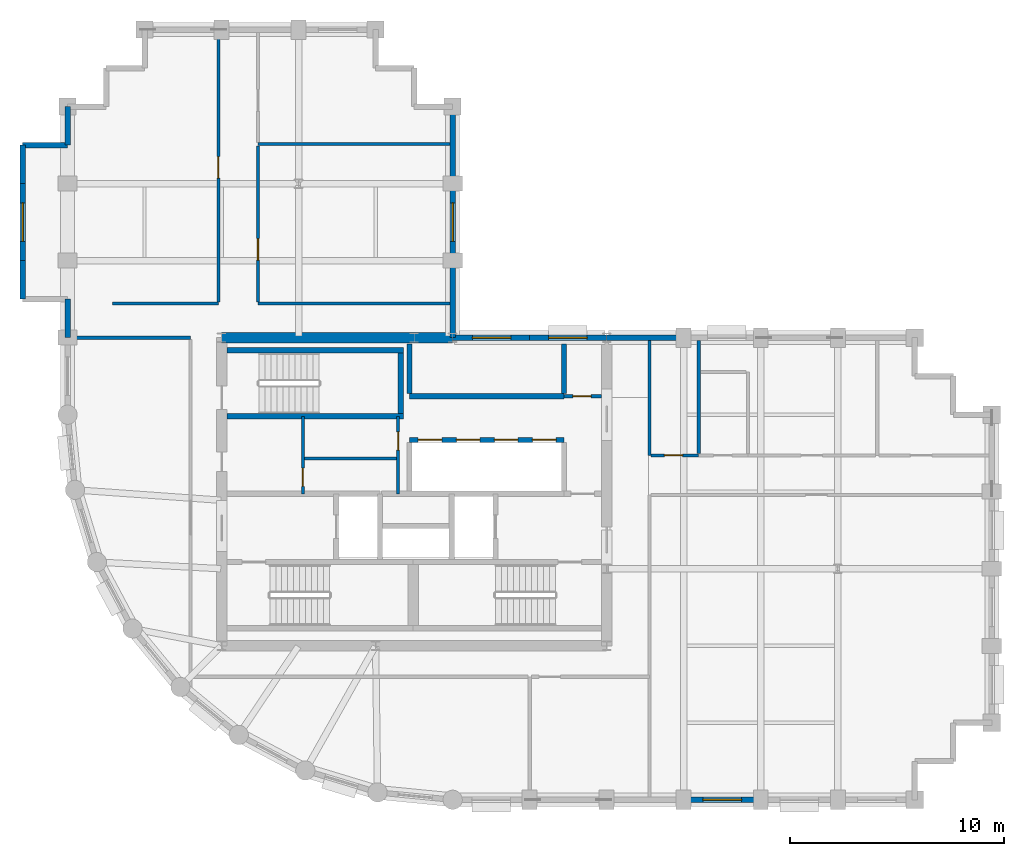
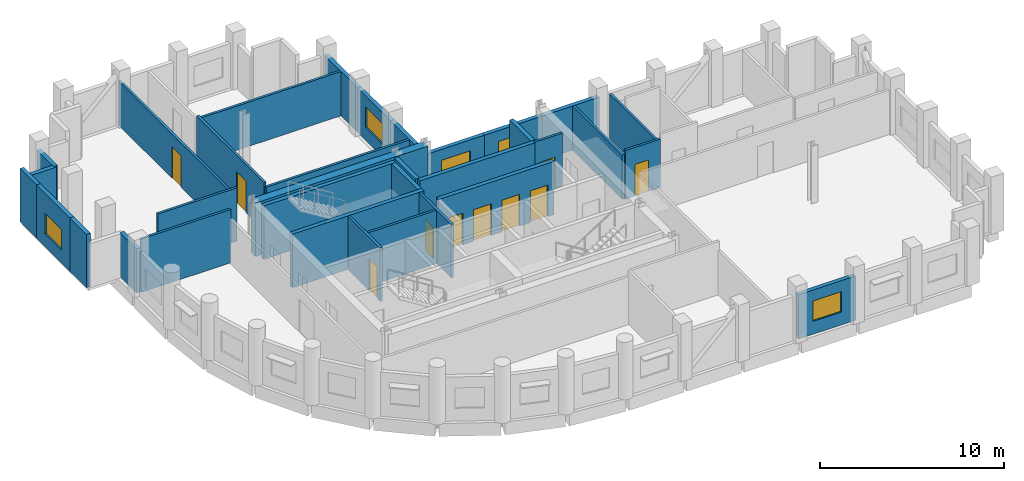
# One storey, part 4 of 8: 34 walls, 10 doors, 5 windows, 15 openings.
"""IFC4 building model written with IfcOpenShell, lengths in metres."""

import ifcopenshell
import ifcopenshell.guid

model = None  # the IFC model being written
_history = None  # IfcOwnerHistory: only IFC2X3 demands one
_inside = {}  # id of a spatial element -> (the spatial element, [elements in it])
_under = {}  # id of a project, library or spatial element -> (it, [spatial elements below it])
_declared = {}  # id of a project -> (the project, [libraries it declares])
_typed = {}  # id of a type object -> (the type object, [elements of that type])
_made_of = {}  # id of a material, layer set ... -> (it, [elements and type objects made of it])


def new_model(schema):
    """Start an empty IFC model of exactly this schema.

    Asked for "IFC4X3", IfcOpenShell would pick the latest addendum, in which some entities
    have other attributes; the version numbers below select the first issue.
    IFC2X3 requires an IfcOwnerHistory on every rooted entity: one is made here for all.
    """
    global model, _history
    if schema == "IFC4X3":
        model = ifcopenshell.file(schema_version=(4, 3, 0, 0))
    else:
        model = ifcopenshell.file(schema=schema)
    _inside.clear()
    _under.clear()
    _declared.clear()
    _typed.clear()
    _made_of.clear()
    _history = None
    if model.schema == "IFC2X3":
        org = make("IfcOrganization", Name="unknown")
        user = make(
            "IfcPersonAndOrganization",
            ThePerson=make("IfcPerson", FamilyName="unknown"),
            TheOrganization=org,
        )
        app = make(
            "IfcApplication",
            ApplicationDeveloper=org,
            Version="unknown",
            ApplicationFullName="unknown",
            ApplicationIdentifier="unknown",
        )
        _history = make(
            "IfcOwnerHistory",
            OwningUser=user,
            OwningApplication=app,
            ChangeAction="ADDED",
            CreationDate=0,
        )
    return model


def make(cls, **values):
    """One entity of the class cls with the attributes given. An attribute that is None is left unset."""
    return model.create_entity(
        cls, **{name: value for name, value in values.items() if value is not None}
    )


def rooted(cls, **values):
    """An entity with a GlobalId (a new one), such as an element, a storey or a relation."""
    return make(cls, GlobalId=ifcopenshell.guid.new(), OwnerHistory=_history, **values)


def si_unit(unit_type, name, prefix=None):
    """IfcSIUnit, for example si_unit("LENGTHUNIT", "METRE", prefix="MILLI")."""
    return make("IfcSIUnit", UnitType=unit_type, Prefix=prefix, Name=name)


def assignment(units):
    """IfcUnitAssignment: the units of a project."""
    return None if units is None else make("IfcUnitAssignment", Units=units)


def point(xyz):
    """IfcCartesianPoint."""
    return None if xyz is None else make("IfcCartesianPoint", Coordinates=xyz)


def direction(xyz):
    """IfcDirection."""
    return None if xyz is None else make("IfcDirection", DirectionRatios=xyz)


def frame(location, z_axis=None, x_axis=None):
    """IfcAxis2Placement3D, a coordinate frame: its origin and axes. An axis left out is left unset."""
    return make(
        "IfcAxis2Placement3D",
        Location=point(location),
        Axis=direction(z_axis),
        RefDirection=direction(x_axis),
    )


def frame_2d(location, x_axis=None):
    """IfcAxis2Placement2D, a coordinate frame in the plane: its origin and x axis."""
    return make(
        "IfcAxis2Placement2D", Location=point(location), RefDirection=direction(x_axis)
    )


def origin():
    """The frame at (0, 0, 0) with its axes left unset."""
    return frame((0.0, 0.0, 0.0))


def place(relative_to, where):
    """IfcLocalPlacement: puts the frame where relative to a parent placement (None: the world)."""
    return make(
        "IfcLocalPlacement", PlacementRelTo=relative_to, RelativePlacement=where
    )


def context(
    kind, dimensions, precision=None, world=None, true_north=None, identifier=None
):
    """IfcGeometricRepresentationContext, for example the 3D "Model" context."""
    return make(
        "IfcGeometricRepresentationContext",
        ContextIdentifier=identifier,
        ContextType=kind,
        CoordinateSpaceDimension=dimensions,
        Precision=precision,
        WorldCoordinateSystem=world,
        TrueNorth=true_north,
    )


def subcontext(parent, identifier, kind, view, scale=None):
    """IfcGeometricRepresentationSubContext, for example "Body" below "Model"."""
    return make(
        "IfcGeometricRepresentationSubContext",
        ContextIdentifier=identifier,
        ContextType=kind,
        ParentContext=parent,
        TargetScale=scale,
        TargetView=view,
    )


def project(units=None, contexts=None):
    """IfcProject with its units and contexts."""
    return rooted(
        "IfcProject",
        Name="project",
        RepresentationContexts=contexts,
        UnitsInContext=assignment(units),
    )


def spatial(cls, under=None, at=None, **own):
    """A site, building, storey or space (cls), placed at a placement, below another one or the project."""
    s = rooted(cls, ObjectPlacement=at, **own)
    if under is not None:
        _under.setdefault(under.id(), (under, []))[1].append(s)
    return s


def profile(cls, at=None, kind="AREA", **sizes):
    """A parametric profile (cls). Its sizes go by their IFC names, for example OverallWidth=200.0."""
    return make(cls, ProfileType=kind, Position=at, **sizes)


def rectangle(**sizes):
    """IfcRectangleProfileDef."""
    return profile("IfcRectangleProfileDef", **sizes)


def extrude(swept, where, along, depth):
    """IfcExtrudedAreaSolid: the profile swept, set in the frame where, extruded along a direction by depth."""
    return make(
        "IfcExtrudedAreaSolid",
        SweptArea=swept,
        Position=where,
        ExtrudedDirection=direction(along),
        Depth=depth,
    )


def shape(context_of_items, identifier, shape_type, items):
    """IfcShapeRepresentation: the items that make up one representation, for example the "Body"."""
    return make(
        "IfcShapeRepresentation",
        ContextOfItems=context_of_items,
        RepresentationIdentifier=identifier,
        RepresentationType=shape_type,
        Items=items,
    )


def material(Name=None, Category=None):
    """IfcMaterial."""
    return make("IfcMaterial", Name=Name, Category=Category)


def layer(
    of_material, thickness, ventilated=None, Name=None, Category=None, Priority=None
):
    """IfcMaterialLayer: one layer of a wall or slab, of a material (None: an air gap)."""
    return make(
        "IfcMaterialLayer",
        Material=of_material,
        LayerThickness=thickness,
        IsVentilated=ventilated,
        Name=Name,
        Category=Category,
        Priority=Priority,
    )


def layer_set(layers, Name=None):
    """IfcMaterialLayerSet."""
    return make("IfcMaterialLayerSet", MaterialLayers=layers, LayerSetName=Name)


def made_of(thing, what):
    """Note that an element or type object is made of a material, layer set ...; save() writes the relation."""
    if what is not None:
        _made_of.setdefault(what.id(), (what, []))[1].append(thing)
    return thing


def type_object(cls, material=None, **own):
    """A type object (cls), such as IfcWallType, which elements share."""
    return made_of(rooted(cls, **own), material)


def element(
    cls,
    number,
    at=None,
    inside=None,
    cuts=None,
    type_object=None,
    material=None,
    context=None,
    identifier="Body",
    shape_type=None,
    held_by="IfcProductDefinitionShape",
    body=None,
    shapes=None,
    **own,
):
    """One element of the class cls, such as IfcWall. Its Tag is "e" and its number.

    at: its placement. inside: the storey or other place that contains it. cuts: it is an
    opening in that element (IfcRelVoidsElement). A single representation is given by context,
    identifier, shape_type and body (its items); several are given by shapes. held_by: the class
    of the entity that holds the representations. save() writes the other relations.
    """
    e = rooted(cls, Tag="e%d" % number, ObjectPlacement=at, **own)
    if body is not None:
        shapes = [shape(context, identifier, shape_type, body)]
    if shapes is not None:
        e.Representation = make(held_by, Representations=shapes)
    if inside is not None:
        _inside.setdefault(inside.id(), (inside, []))[1].append(e)
    if cuts is not None:
        rooted(
            "IfcRelVoidsElement", RelatingBuildingElement=cuts, RelatedOpeningElement=e
        )
    if type_object is not None:
        _typed.setdefault(type_object.id(), (type_object, []))[1].append(e)
    return made_of(e, material)


def fill(opening, filler):
    """IfcRelFillsElement: the door or window that sits in an opening."""
    return rooted(
        "IfcRelFillsElement",
        RelatingOpeningElement=opening,
        RelatedBuildingElement=filler,
    )


def aggregate(whole, parts):
    """IfcRelAggregates: a whole, such as a stair, and the parts it consists of."""
    return rooted("IfcRelAggregates", RelatingObject=whole, RelatedObjects=parts)


def save(model, path):
    """Write the relations noted so far, then the file.

    IfcRelAggregates (storeys below a building ...), IfcRelContainedInSpatialStructure (elements
    in a storey), IfcRelDefinesByType, IfcRelAssociatesMaterial and IfcRelDeclares: one each for
    every whole, place, type object, material and project.
    """
    for whole, parts in _under.values():
        aggregate(whole, parts)
    for where, things in _inside.values():
        rooted(
            "IfcRelContainedInSpatialStructure",
            RelatedElements=things,
            RelatingStructure=where,
        )
    for kind, things in _typed.values():
        rooted("IfcRelDefinesByType", RelatedObjects=things, RelatingType=kind)
    for what, things in _made_of.values():
        rooted("IfcRelAssociatesMaterial", RelatedObjects=things, RelatingMaterial=what)
    for by, libraries in _declared.values():
        rooted("IfcRelDeclares", RelatingContext=by, RelatedDefinitions=libraries)
    model.write(path)


model = new_model("IFC4")

# Units and contexts
model_context = context("Model", 3, precision=1e-05, world=origin(), true_north=direction((0.0, 1.0)))
body_context = subcontext(model_context, "Body", "Model", "MODEL_VIEW")
ifc_project = project(units=[si_unit("LENGTHUNIT", "METRE"), si_unit("AREAUNIT", "SQUARE_METRE"), si_unit("VOLUMEUNIT", "CUBIC_METRE"), si_unit("PLANEANGLEUNIT", "RADIAN"), si_unit("MASSUNIT", "GRAM", prefix="KILO")], contexts=[model_context])

# Site, building, storey
site_placement = place(None, origin())
site = spatial("IfcSite", under=ifc_project, at=site_placement, CompositionType="ELEMENT")
building_placement = place(site_placement, origin())
building = spatial("IfcBuilding", under=site, at=building_placement, Name="Solnavia Interchange Tower", CompositionType="ELEMENT")
storey_placement = place(building_placement, frame((0.0, 0.0, 190.0)))
storey = spatial("IfcBuildingStorey", under=building, at=storey_placement, Name="L47", CompositionType="ELEMENT", Elevation=190.0)

# Wall, opening, window
ifc_material_1 = material(Name="Concrete C40/50", Category="concrete")
ifc_layer_1 = layer(ifc_material_1, 0.25)
ifc_layer_set_1 = layer_set([ifc_layer_1], Name="Concrete C40/50")
wall_type_1 = type_object("IfcWallType", Name="Wall-ExtSpandrel-250", PredefinedType="STANDARD", material=ifc_layer_set_1)
wall_1_placement = place(storey_placement, frame((39.60009765625, 3.60009765625, 0.0), z_axis=(0.0, 0.0, 1.0), x_axis=(-1.0, 0.0, 0.0)))
wall_1 = element("IfcWall", 1, at=wall_1_placement, inside=storey, type_object=wall_type_1, Name="EXW-L47-04 Exterior precast spandrel wall", PredefinedType="STANDARD", context=body_context, shape_type="SweptSolid", body=[
    extrude(rectangle(XDim=3.60009765625, YDim=0.25, at=frame_2d((1.800048828125, 0.0))), origin(), (0.0, 0.0, 1.0), 2.929931640625),
])
opening_1_placement = place(wall_1_placement, frame((0.89990234375, 0.0, 0.85009765625)))
opening_1 = element("IfcOpeningElement", 2, at=opening_1_placement, cuts=wall_1, Name="Opening WIN-02", PredefinedType="OPENING", context=body_context, shape_type="SweptSolid", body=[
    extrude(rectangle(XDim=1.800048828125, YDim=1.35009765625, at=frame_2d((0.89990234375, 0.675048828125))), frame((0.0, 0.135009765625, 0.0), z_axis=(0.0, -1.0, 0.0), x_axis=(1.0, 0.0, 0.0)), (0.0, 0.0, 1.0), 0.27001953125),
])
ifc_material_2 = material(Name="Thermal-Break Aluminium & Low-E Glass", Category="aluminium")
window_type = type_object("IfcWindowType", Name="Window-Ribbon-1800x1350", PartitioningType="SINGLE_PANEL", PredefinedType="WINDOW", material=ifc_material_2)
window_1_placement = place(opening_1_placement, origin())
window_1 = element("IfcWindow", 3, at=window_1_placement, inside=storey, type_object=window_type, Name="WIN-L47-04 Facade ribbon window", OverallHeight=1.35009765625, OverallWidth=1.800048828125, PartitioningType="SINGLE_PANEL", PredefinedType="WINDOW", context=body_context, shape_type="SweptSolid", body=[
    extrude(rectangle(XDim=1.800048828125, YDim=1.35009765625, at=frame_2d((0.89990234375, 0.675048828125))), frame((0.0, 0.030029296875, 0.0), z_axis=(0.0, -1.0, 0.0), x_axis=(1.0, 0.0, 0.0)), (0.0, 0.0, 1.0), 0.06005859375),
])
fill(opening_1, window_1)

# Wall
wall_2_placement = place(storey_placement, frame((32.39990234375, 25.199951171875, 0.0), z_axis=(0.0, 0.0, 1.0), x_axis=(1.0, 0.0, 0.0)))
element("IfcWall", 4, at=wall_2_placement, inside=storey, type_object=wall_type_1, Name="EXW-L47-22 Exterior precast spandrel wall", PredefinedType="STANDARD", context=body_context, shape_type="SweptSolid", body=[
    extrude(rectangle(XDim=3.60009765625, YDim=0.25, at=frame_2d((1.800048828125, 0.0))), origin(), (0.0, 0.0, 1.0), 2.929931640625),
])

# Wall, opening, window
wall_3_placement = place(storey_placement, frame((28.800048828125, 25.199951171875, 0.0), z_axis=(0.0, 0.0, 1.0), x_axis=(1.0, 0.0, 0.0)))
wall_3 = element("IfcWall", 5, at=wall_3_placement, inside=storey, type_object=wall_type_1, Name="EXW-L47-23 Exterior precast spandrel wall", PredefinedType="STANDARD", context=body_context, shape_type="SweptSolid", body=[
    extrude(rectangle(XDim=3.599853515625, YDim=0.25, at=frame_2d((1.7998046875, 0.0))), origin(), (0.0, 0.0, 1.0), 2.929931640625),
])
opening_2_placement = place(wall_3_placement, frame((0.884033203125, 0.0, 0.85009765625)))
opening_2 = element("IfcOpeningElement", 6, at=opening_2_placement, cuts=wall_3, Name="Opening WIN-02", PredefinedType="OPENING", context=body_context, shape_type="SweptSolid", body=[
    extrude(rectangle(XDim=1.800048828125, YDim=1.35009765625, at=frame_2d((0.89990234375, 0.675048828125))), frame((0.0, 0.135009765625, 0.0), z_axis=(0.0, -1.0, 0.0), x_axis=(1.0, 0.0, 0.0)), (0.0, 0.0, 1.0), 0.27001953125),
])
window_2_placement = place(opening_2_placement, origin())
window_2 = element("IfcWindow", 7, at=window_2_placement, inside=storey, type_object=window_type, Name="WIN-L47-23 Facade ribbon window", OverallHeight=1.35009765625, OverallWidth=1.800048828125, PartitioningType="SINGLE_PANEL", PredefinedType="WINDOW", context=body_context, shape_type="SweptSolid", body=[
    extrude(rectangle(XDim=1.800048828125, YDim=1.35009765625, at=frame_2d((0.89990234375, 0.675048828125))), frame((0.0, 0.030029296875, 0.0), z_axis=(0.0, -1.0, 0.0), x_axis=(1.0, 0.0, 0.0)), (0.0, 0.0, 1.0), 0.06005859375),
])
fill(opening_2, window_2)

wall_4_placement = place(storey_placement, frame((25.199951171875, 25.199951171875, 0.0), z_axis=(0.0, 0.0, 1.0), x_axis=(1.0, 0.0, 0.0)))
wall_4 = element("IfcWall", 8, at=wall_4_placement, inside=storey, type_object=wall_type_1, Name="EXW-L47-24 Exterior precast spandrel wall", PredefinedType="STANDARD", context=body_context, shape_type="SweptSolid", body=[
    extrude(rectangle(XDim=3.60009765625, YDim=0.25, at=frame_2d((1.800048828125, 0.0))), origin(), (0.0, 0.0, 1.0), 2.929931640625),
])
opening_3_placement = place(wall_4_placement, frame((0.916015625, 0.0, 0.85009765625)))
opening_3 = element("IfcOpeningElement", 9, at=opening_3_placement, cuts=wall_4, Name="Opening WIN-02", PredefinedType="OPENING", context=body_context, shape_type="SweptSolid", body=[
    extrude(rectangle(XDim=1.800048828125, YDim=1.35009765625, at=frame_2d((0.89990234375, 0.675048828125))), frame((0.0, 0.135009765625, 0.0), z_axis=(0.0, -1.0, 0.0), x_axis=(1.0, 0.0, 0.0)), (0.0, 0.0, 1.0), 0.27001953125),
])
window_3_placement = place(opening_3_placement, origin())
window_3 = element("IfcWindow", 10, at=window_3_placement, inside=storey, type_object=window_type, Name="WIN-L47-24 Facade ribbon window", OverallHeight=1.35009765625, OverallWidth=1.800048828125, PartitioningType="SINGLE_PANEL", PredefinedType="WINDOW", context=body_context, shape_type="SweptSolid", body=[
    extrude(rectangle(XDim=1.800048828125, YDim=1.35009765625, at=frame_2d((0.89990234375, 0.675048828125))), frame((0.0, 0.030029296875, 0.0), z_axis=(0.0, -1.0, 0.0), x_axis=(1.0, 0.0, 0.0)), (0.0, 0.0, 1.0), 0.06005859375),
])
fill(opening_3, window_3)

# Wall
wall_5_placement = place(storey_placement, frame((25.199951171875, 25.199951171875, 0.0), z_axis=(0.0, 0.0, 1.0), x_axis=(0.0, 1.0, 0.0)))
element("IfcWall", 11, at=wall_5_placement, inside=storey, type_object=wall_type_1, Name="EXW-L47-25 Exterior precast spandrel wall", PredefinedType="STANDARD", context=body_context, shape_type="SweptSolid", body=[
    extrude(rectangle(XDim=3.60009765625, YDim=0.25, at=frame_2d((1.800048828125, 0.0))), origin(), (0.0, 0.0, 1.0), 2.929931640625),
])

# Wall, opening, window
wall_6_placement = place(storey_placement, frame((25.199951171875, 28.800048828125, 0.0), z_axis=(0.0, 0.0, 1.0), x_axis=(0.0, 1.0, 0.0)))
wall_6 = element("IfcWall", 12, at=wall_6_placement, inside=storey, type_object=wall_type_1, Name="EXW-L47-26 Exterior precast spandrel wall", PredefinedType="STANDARD", context=body_context, shape_type="SweptSolid", body=[
    extrude(rectangle(XDim=3.599853515625, YDim=0.25, at=frame_2d((1.7998046875, 0.0))), origin(), (0.0, 0.0, 1.0), 2.929931640625),
])
opening_4_placement = place(wall_6_placement, frame((0.89990234375, 0.0, 0.85009765625)))
opening_4 = element("IfcOpeningElement", 13, at=opening_4_placement, cuts=wall_6, Name="Opening WIN-02", PredefinedType="OPENING", context=body_context, shape_type="SweptSolid", body=[
    extrude(rectangle(XDim=1.800048828125, YDim=1.35009765625, at=frame_2d((0.89990234375, 0.675048828125))), frame((0.0, 0.135009765625, 0.0), z_axis=(0.0, -1.0, 0.0), x_axis=(1.0, 0.0, 0.0)), (0.0, 0.0, 1.0), 0.27001953125),
])
window_4_placement = place(opening_4_placement, origin())
window_4 = element("IfcWindow", 14, at=window_4_placement, inside=storey, type_object=window_type, Name="WIN-L47-26 Facade ribbon window", OverallHeight=1.35009765625, OverallWidth=1.800048828125, PartitioningType="SINGLE_PANEL", PredefinedType="WINDOW", context=body_context, shape_type="SweptSolid", body=[
    extrude(rectangle(XDim=1.800048828125, YDim=1.35009765625, at=frame_2d((0.89990234375, 0.675048828125))), frame((0.0, 0.030029296875, 0.0), z_axis=(0.0, -1.0, 0.0), x_axis=(1.0, 0.0, 0.0)), (0.0, 0.0, 1.0), 0.06005859375),
])
fill(opening_4, window_4)

# Walls
wall_7_placement = place(storey_placement, frame((25.199951171875, 32.39990234375, 0.0), z_axis=(0.0, 0.0, 1.0), x_axis=(0.0, 1.0, 0.0)))
element("IfcWall", 15, at=wall_7_placement, inside=storey, type_object=wall_type_1, Name="EXW-L47-27 Exterior precast spandrel wall", PredefinedType="STANDARD", context=body_context, shape_type="SweptSolid", body=[
    extrude(rectangle(XDim=3.60009765625, YDim=0.25, at=frame_2d((1.800048828125, 0.0))), origin(), (0.0, 0.0, 1.0), 2.929931640625),
])
wall_8_placement = place(storey_placement, frame((7.199951171875, 34.199951171875, 0.0), z_axis=(0.0, 0.0, 1.0), x_axis=(0.0, 1.0, 0.0)))
element("IfcWall", 16, at=wall_8_placement, inside=storey, type_object=wall_type_1, Name="EXW-L47-39 Exterior precast spandrel wall", PredefinedType="STANDARD", context=body_context, shape_type="SweptSolid", body=[
    extrude(rectangle(XDim=1.800048828125, YDim=0.25, at=frame_2d((0.89990234375, 0.0))), origin(), (0.0, 0.0, 1.0), 2.929931640625),
])
wall_9_placement = place(storey_placement, frame((5.10009765625, 34.199951171875, 0.0), z_axis=(0.0, 0.0, 1.0), x_axis=(1.0, 0.0, 0.0)))
element("IfcWall", 17, at=wall_9_placement, inside=storey, type_object=wall_type_1, Name="EXW-L47-40 Exterior precast spandrel wall", PredefinedType="STANDARD", context=body_context, shape_type="SweptSolid", body=[
    extrude(rectangle(XDim=2.099853515625, YDim=0.25, at=frame_2d((1.0498046875, 0.0))), origin(), (0.0, 0.0, 1.0), 2.929931640625),
])
wall_10_placement = place(storey_placement, frame((5.10009765625, 32.39990234375, 0.0), z_axis=(0.0, 0.0, 1.0), x_axis=(0.0, 1.0, 0.0)))
element("IfcWall", 18, at=wall_10_placement, inside=storey, type_object=wall_type_1, Name="EXW-L47-41 Exterior precast spandrel wall", PredefinedType="STANDARD", context=body_context, shape_type="SweptSolid", body=[
    extrude(rectangle(XDim=1.800048828125, YDim=0.25, at=frame_2d((0.89990234375, 0.0))), origin(), (0.0, 0.0, 1.0), 3.534912109375),
])

# Wall, opening, window
wall_11_placement = place(storey_placement, frame((5.10009765625, 28.800048828125, 0.0), z_axis=(0.0, 0.0, 1.0), x_axis=(0.0, 1.0, 0.0)))
wall_11 = element("IfcWall", 19, at=wall_11_placement, inside=storey, type_object=wall_type_1, Name="EXW-L47-42 Exterior precast spandrel wall", PredefinedType="STANDARD", context=body_context, shape_type="SweptSolid", body=[
    extrude(rectangle(XDim=3.599853515625, YDim=0.25, at=frame_2d((1.7998046875, 0.0))), origin(), (0.0, 0.0, 1.0), 3.534912109375),
])
opening_5_placement = place(wall_11_placement, frame((0.89990234375, 0.0, 0.85009765625)))
opening_5 = element("IfcOpeningElement", 20, at=opening_5_placement, cuts=wall_11, Name="Opening WIN-02", PredefinedType="OPENING", context=body_context, shape_type="SweptSolid", body=[
    extrude(rectangle(XDim=1.800048828125, YDim=1.35009765625, at=frame_2d((0.89990234375, 0.675048828125))), frame((0.0, 0.135009765625, 0.0), z_axis=(0.0, -1.0, 0.0), x_axis=(1.0, 0.0, 0.0)), (0.0, 0.0, 1.0), 0.27001953125),
])
window_5_placement = place(opening_5_placement, origin())
window_5 = element("IfcWindow", 21, at=window_5_placement, inside=storey, type_object=window_type, Name="WIN-L47-42 Facade ribbon window", OverallHeight=1.35009765625, OverallWidth=1.800048828125, PartitioningType="SINGLE_PANEL", PredefinedType="WINDOW", context=body_context, shape_type="SweptSolid", body=[
    extrude(rectangle(XDim=1.800048828125, YDim=1.35009765625, at=frame_2d((0.89990234375, 0.675048828125))), frame((0.0, 0.030029296875, 0.0), z_axis=(0.0, -1.0, 0.0), x_axis=(1.0, 0.0, 0.0)), (0.0, 0.0, 1.0), 0.06005859375),
])
fill(opening_5, window_5)

# Walls
wall_12_placement = place(storey_placement, frame((5.10009765625, 27.0, 0.0), z_axis=(0.0, 0.0, 1.0), x_axis=(0.0, 1.0, 0.0)))
element("IfcWall", 22, at=wall_12_placement, inside=storey, type_object=wall_type_1, Name="EXW-L47-43 Exterior precast spandrel wall", PredefinedType="STANDARD", context=body_context, shape_type="SweptSolid", body=[
    extrude(rectangle(XDim=1.800048828125, YDim=0.25, at=frame_2d((0.89990234375, 0.0))), origin(), (0.0, 0.0, 1.0), 3.534912109375),
])
wall_13_placement = place(storey_placement, frame((7.199951171875, 25.199951171875, 0.0), z_axis=(0.0, 0.0, 1.0), x_axis=(0.0, 1.0, 0.0)))
element("IfcWall", 23, at=wall_13_placement, inside=storey, type_object=wall_type_1, Name="EXW-L47-45 Exterior precast spandrel wall", PredefinedType="STANDARD", context=body_context, shape_type="SweptSolid", body=[
    extrude(rectangle(XDim=1.800048828125, YDim=0.25, at=frame_2d((0.89990234375, 0.0))), origin(), (0.0, 0.0, 1.0), 2.929931640625),
])

# Wall, opening, door
ifc_material_3 = material(Name="Gypsum Plasterboard & Steel Stud", Category="steel")
ifc_layer_2 = layer(ifc_material_3, 0.14990234375)
ifc_layer_set_2 = layer_set([ifc_layer_2], Name="Gypsum Plasterboard & Steel Stud")
wall_type_2 = type_object("IfcWallType", Name="Wall-Partition-150", PredefinedType="PARTITIONING", material=ifc_layer_set_2)
wall_14_placement = place(storey_placement, frame((22.64990234375, 17.89990234375, 0.0), z_axis=(0.0, 0.0, 1.0), x_axis=(0.0, 1.0, 0.0)))
wall_14 = element("IfcWall", 24, at=wall_14_placement, inside=storey, type_object=wall_type_2, Name="CSW-L47-E Core shaft wall", PredefinedType="PARTITIONING", context=body_context, shape_type="SweptSolid", body=[
    extrude(rectangle(XDim=3.625, YDim=0.14990234375, at=frame_2d((1.8125, 0.0))), origin(), (0.0, 0.0, 1.0), 3.534912109375),
])
opening_6_placement = place(wall_14_placement, frame((2.050048828125, 0.0, 0.0)))
opening_6 = element("IfcOpeningElement", 25, at=opening_6_placement, cuts=wall_14, Name="Opening DR-10", PredefinedType="OPENING", context=body_context, shape_type="SweptSolid", body=[
    extrude(rectangle(XDim=0.85009765625, YDim=2.10009765625, at=frame_2d((0.425048828125, 1.050048828125))), frame((0.0, 0.0849609375, 0.0), z_axis=(0.0, -1.0, 0.0), x_axis=(1.0, 0.0, 0.0)), (0.0, 0.0, 1.0), 0.169921875),
])
ifc_material_4 = material(Name="Moisture-Resistant Timber Door", Category="wood")
door_type_1 = type_object("IfcDoorType", Name="Door-Bathroom-850x2100", OperationType="SINGLE_SWING_RIGHT", PredefinedType="DOOR", material=ifc_material_4)
door_1_placement = place(opening_6_placement, origin())
door_1 = element("IfcDoor", 26, at=door_1_placement, inside=storey, type_object=door_type_1, Name="DR-L47-CS3 Core fire door", OperationType="SINGLE_SWING_LEFT", OverallHeight=2.10009765625, OverallWidth=0.85009765625, PredefinedType="DOOR", context=body_context, shape_type="SweptSolid", body=[
    extrude(rectangle(XDim=0.85009765625, YDim=2.10009765625, at=frame_2d((0.425048828125, 1.050048828125))), frame((0.0, 0.02490234375, 0.0), z_axis=(0.0, -1.0, 0.0), x_axis=(1.0, 0.0, 0.0)), (0.0, 0.0, 1.0), 0.050048828125),
])
fill(opening_6, door_1)

wall_15_placement = place(storey_placement, frame((18.199951171875, 17.89990234375, 0.0), z_axis=(0.0, 0.0, 1.0), x_axis=(0.0, 1.0, 0.0)))
wall_15 = element("IfcWall", 27, at=wall_15_placement, inside=storey, type_object=wall_type_2, Name="CSW-L47-M1 Core shaft wall", PredefinedType="PARTITIONING", context=body_context, shape_type="SweptSolid", body=[
    extrude(rectangle(XDim=3.625, YDim=0.14990234375, at=frame_2d((1.8125, 0.0))), origin(), (0.0, 0.0, 1.0), 3.534912109375),
])
opening_7_placement = place(wall_15_placement, frame((0.35009765625, 0.0, 0.0)))
opening_7 = element("IfcOpeningElement", 28, at=opening_7_placement, cuts=wall_15, Name="Opening DR-10", PredefinedType="OPENING", context=body_context, shape_type="SweptSolid", body=[
    extrude(rectangle(XDim=0.85009765625, YDim=2.10009765625, at=frame_2d((0.425048828125, 1.050048828125))), frame((0.0, 0.0849609375, 0.0), z_axis=(0.0, -1.0, 0.0), x_axis=(1.0, 0.0, 0.0)), (0.0, 0.0, 1.0), 0.169921875),
])
door_2_placement = place(opening_7_placement, origin())
door_2 = element("IfcDoor", 29, at=door_2_placement, inside=storey, type_object=door_type_1, Name="DR-L47-CS2 Core fire door", OperationType="SINGLE_SWING_LEFT", OverallHeight=2.10009765625, OverallWidth=0.85009765625, PredefinedType="DOOR", context=body_context, shape_type="SweptSolid", body=[
    extrude(rectangle(XDim=0.85009765625, YDim=2.10009765625, at=frame_2d((0.425048828125, 1.050048828125))), frame((0.0, 0.02490234375, 0.0), z_axis=(0.0, -1.0, 0.0), x_axis=(1.0, 0.0, 0.0)), (0.0, 0.0, 1.0), 0.050048828125),
])
fill(opening_7, door_2)

# Wall
wall_16_placement = place(storey_placement, frame((18.199951171875, 19.550048828125, 0.0), z_axis=(0.0, 0.0, 1.0), x_axis=(1.0, 0.0, 0.0)))
element("IfcWall", 30, at=wall_16_placement, inside=storey, type_object=wall_type_2, Name="CSW-L47-H1 Core shaft wall", PredefinedType="PARTITIONING", context=body_context, shape_type="SweptSolid", body=[
    extrude(rectangle(XDim=4.449951171875, YDim=0.14990234375, at=frame_2d((2.22509765625, 0.0))), origin(), (0.0, 0.0, 1.0), 3.534912109375),
])

# Wall, opening, door
wall_17_placement = place(storey_placement, frame((30.39990234375, 22.4599609375, 0.0), z_axis=(0.0, 0.0, 1.0), x_axis=(1.0, 0.0, 0.0)))
wall_17 = element("IfcWall", 31, at=wall_17_placement, inside=storey, type_object=wall_type_2, Name="CSW-L47-NE-S Core shaft wall", PredefinedType="PARTITIONING", context=body_context, shape_type="SweptSolid", body=[
    extrude(rectangle(XDim=1.75, YDim=0.14990234375, at=frame_2d((0.875, 0.0))), origin(), (0.0, 0.0, 1.0), 3.534912109375),
])
opening_8_placement = place(wall_17_placement, frame((0.419921875, 0.0, 0.0)))
opening_8 = element("IfcOpeningElement", 32, at=opening_8_placement, cuts=wall_17, Name="Opening DR-10", PredefinedType="OPENING", context=body_context, shape_type="SweptSolid", body=[
    extrude(rectangle(XDim=0.85009765625, YDim=2.10009765625, at=frame_2d((0.425048828125, 1.050048828125))), frame((0.0, 0.0849609375, 0.0), z_axis=(0.0, -1.0, 0.0), x_axis=(1.0, 0.0, 0.0)), (0.0, 0.0, 1.0), 0.169921875),
])
door_3_placement = place(opening_8_placement, origin())
door_3 = element("IfcDoor", 33, at=door_3_placement, inside=storey, type_object=door_type_1, Name="DR-L47-CS4 Core fire door", OperationType="SINGLE_SWING_RIGHT", OverallHeight=2.10009765625, OverallWidth=0.85009765625, PredefinedType="DOOR", context=body_context, shape_type="SweptSolid", body=[
    extrude(rectangle(XDim=0.85009765625, YDim=2.10009765625, at=frame_2d((0.425048828125, 1.050048828125))), frame((0.0, 0.02490234375, 0.0), z_axis=(0.0, -1.0, 0.0), x_axis=(1.0, 0.0, 0.0)), (0.0, 0.0, 1.0), 0.050048828125),
])
fill(opening_8, door_3)

# Walls
wall_18_placement = place(storey_placement, frame((7.3291015625, 25.199951171875, 0.0), z_axis=(0.0, 0.0, 1.0), x_axis=(1.0, 0.0, 0.0)))
element("IfcWall", 34, at=wall_18_placement, inside=storey, type_object=wall_type_2, Name="PTW-L47-07 Interior partition wall", PredefinedType="PARTITIONING", context=body_context, shape_type="SweptSolid", body=[
    extrude(rectangle(XDim=5.620849609375, YDim=0.14990234375, at=frame_2d((2.810546875, 0.0))), origin(), (0.0, 0.0, 1.0), 3.534912109375),
])
wall_19_placement = place(storey_placement, frame((9.300048828125, 26.800048828125, 0.0), z_axis=(0.0, 0.0, 1.0), x_axis=(1.0, 0.0, 0.0)))
element("IfcWall", 35, at=wall_19_placement, inside=storey, type_object=wall_type_2, Name="PTW-L47-17 Interior partition wall", PredefinedType="PARTITIONING", context=body_context, shape_type="SweptSolid", body=[
    extrude(rectangle(XDim=4.949951171875, YDim=0.14990234375, at=frame_2d((2.47509765625, 0.0))), origin(), (0.0, 0.0, 1.0), 3.534912109375),
])

# Wall, opening, door
wall_20_placement = place(storey_placement, frame((14.25, 26.87890625, 0.0), z_axis=(0.0, 0.0, 1.0), x_axis=(0.0, 1.0, 0.0)))
wall_20 = element("IfcWall", 36, at=wall_20_placement, inside=storey, type_object=wall_type_2, Name="PTW-L47-18 Interior partition wall", PredefinedType="PARTITIONING", context=body_context, shape_type="SweptSolid", body=[
    extrude(rectangle(XDim=12.592041015625, YDim=0.14990234375, at=frame_2d((6.2958984375, 0.0))), origin(), (0.0, 0.0, 1.0), 2.929931640625),
])
opening_9_placement = place(wall_20_placement, frame((5.781005859375, 0.0, 0.0)))
opening_9 = element("IfcOpeningElement", 37, at=opening_9_placement, cuts=wall_20, Name="Opening DR-07", PredefinedType="OPENING", context=body_context, shape_type="SweptSolid", body=[
    extrude(rectangle(XDim=1.0, YDim=2.10009765625, at=frame_2d((0.5, 1.050048828125))), frame((0.0, 0.0849609375, 0.0), z_axis=(0.0, -1.0, 0.0), x_axis=(1.0, 0.0, 0.0)), (0.0, 0.0, 1.0), 0.169921875),
])
ifc_material_5 = material(Name="Timber & Acoustic Glazed Office Door", Category="wood")
door_type_2 = type_object("IfcDoorType", Name="Door-Office-1000x2100", OperationType="SINGLE_SWING_RIGHT", PredefinedType="DOOR", material=ifc_material_5)
door_4_placement = place(opening_9_placement, origin())
door_4 = element("IfcDoor", 38, at=door_4_placement, inside=storey, type_object=door_type_2, Name="DR-L47-08 Interior room door", OperationType="SINGLE_SWING_RIGHT", OverallHeight=2.10009765625, OverallWidth=1.0, PredefinedType="DOOR", context=body_context, shape_type="SweptSolid", body=[
    extrude(rectangle(XDim=1.0, YDim=2.10009765625, at=frame_2d((0.5, 1.050048828125))), frame((0.0, 0.02490234375, 0.0), z_axis=(0.0, -1.0, 0.0), x_axis=(1.0, 0.0, 0.0)), (0.0, 0.0, 1.0), 0.050048828125),
])
fill(opening_9, door_4)

# Walls
for number, where, z_axis, x_axis, name in (
    (39, (16.10009765625, 26.800048828125, 0.0), (0.0, 0.0, 1.0), (1.0, 0.0, 0.0), "PTW-L47-19 Interior partition wall"),
    (40, (16.10009765625, 34.25, 0.0), (0.0, 0.0, 1.0), (1.0, 0.0, 0.0), "PTW-L47-20 Interior partition wall"),
):
    element("IfcWall", number, at=place(storey_placement, frame(where, z_axis=z_axis, x_axis=x_axis)), inside=storey, type_object=wall_type_2, Name=name, PredefinedType="PARTITIONING", context=body_context, shape_type="SweptSolid", body=[
        extrude(rectangle(XDim=8.970947265625, YDim=0.14990234375, at=frame_2d((4.4853515625, 0.0))), origin(), (0.0, 0.0, 1.0), 2.929931640625),
    ])

# Wall, opening, door
wall_21_placement = place(storey_placement, frame((16.10009765625, 26.87890625, 0.0), z_axis=(0.0, 0.0, 1.0), x_axis=(0.0, 1.0, 0.0)))
wall_21 = element("IfcWall", 41, at=wall_21_placement, inside=storey, type_object=wall_type_2, Name="PTW-L47-21 Interior partition wall", PredefinedType="PARTITIONING", context=body_context, shape_type="SweptSolid", body=[
    extrude(rectangle(XDim=7.2919921875, YDim=0.14990234375, at=frame_2d((3.64599609375, 0.0))), origin(), (0.0, 0.0, 1.0), 3.169921875),
])
opening_10_placement = place(wall_21_placement, frame((1.951904296875, 0.0, 0.0)))
opening_10 = element("IfcOpeningElement", 42, at=opening_10_placement, cuts=wall_21, Name="Opening DR-07", PredefinedType="OPENING", context=body_context, shape_type="SweptSolid", body=[
    extrude(rectangle(XDim=1.0, YDim=2.10009765625, at=frame_2d((0.5, 1.050048828125))), frame((0.0, 0.0849609375, 0.0), z_axis=(0.0, -1.0, 0.0), x_axis=(1.0, 0.0, 0.0)), (0.0, 0.0, 1.0), 0.169921875),
])
door_5_placement = place(opening_10_placement, origin())
door_5 = element("IfcDoor", 43, at=door_5_placement, inside=storey, type_object=door_type_2, Name="DR-L47-09 Interior room door", OperationType="SINGLE_SWING_LEFT", OverallHeight=2.10009765625, OverallWidth=1.0, PredefinedType="DOOR", context=body_context, shape_type="SweptSolid", body=[
    extrude(rectangle(XDim=1.0, YDim=2.10009765625, at=frame_2d((0.5, 1.050048828125))), frame((0.0, 0.02490234375, 0.0), z_axis=(0.0, -1.0, 0.0), x_axis=(1.0, 0.0, 0.0)), (0.0, 0.0, 1.0), 0.050048828125),
])
fill(opening_10, door_5)

# Walls
ifc_layer_3 = layer(ifc_material_1, 0.25)
ifc_layer_set_3 = layer_set([ifc_layer_3], Name="Concrete C40/50")
wall_type_3 = type_object("IfcWallType", Name="Wall-ShaftCore-250", PredefinedType="SHEAR", material=ifc_layer_set_3)
for number, where, z_axis, x_axis, name in (
    (44, (14.64990234375, 21.52490234375, 0.0), (0.0, 0.0, 1.0), (1.0, 0.0, 0.0), "SHW-L47-ST3S Core shear wall"),
    (45, (14.64990234375, 24.614990234375, 0.0), (0.0, 0.0, 1.0), (1.0, 0.0, 0.0), "SHW-L47-ST3N Core shear wall"),
):
    element("IfcWall", number, at=place(storey_placement, frame(where, z_axis=z_axis, x_axis=x_axis)), inside=storey, type_object=wall_type_3, Name=name, PredefinedType="SHEAR", context=body_context, shape_type="SweptSolid", body=[
        extrude(rectangle(XDim=8.25, YDim=0.25, at=frame_2d((4.125, 0.0))), origin(), (0.0, 0.0, 1.0), 3.550048828125),
    ])
wall_22_placement = place(storey_placement, frame((22.77490234375, 21.64990234375, 0.0), z_axis=(0.0, 0.0, 1.0), x_axis=(0.0, 1.0, 0.0)))
element("IfcWall", 46, at=wall_22_placement, inside=storey, type_object=wall_type_3, Name="SHW-L47-ST3E Core shear wall", PredefinedType="SHEAR", context=body_context, shape_type="SweptSolid", body=[
    extrude(rectangle(XDim=2.840087890625, YDim=0.25, at=frame_2d((1.419921875, 0.0))), origin(), (0.0, 0.0, 1.0), 3.550048828125),
])

# Wall, openings, doors
ifc_layer_4 = layer(ifc_material_1, 0.25)
ifc_layer_set_4 = layer_set([ifc_layer_4], Name="Concrete C40/50")
wall_type_4 = type_object("IfcWallType", Name="Wall-ShaftPart-250", PredefinedType="PARTITIONING", material=ifc_layer_set_4)
wall_23_placement = place(storey_placement, frame((23.179931640625, 20.419921875, 0.0), z_axis=(0.0, 0.0, 1.0), x_axis=(1.0, 0.0, 0.0)))
wall_23 = element("IfcWall", 47, at=wall_23_placement, inside=storey, type_object=wall_type_4, Name="SHW-L47-B2N Core shaft wall", PredefinedType="PARTITIONING", context=body_context, shape_type="SweptSolid", body=[
    extrude(rectangle(XDim=7.219970703125, YDim=0.25, at=frame_2d((3.60986328125, 0.0))), origin(), (0.0, 0.0, 1.0), 3.534912109375),
])
opening_11_placement = place(wall_23_placement, frame((0.409912109375, 0.0, 0.0)))
opening_11 = element("IfcOpeningElement", 48, at=opening_11_placement, cuts=wall_23, Name="Opening LD-01", PredefinedType="OPENING", context=body_context, shape_type="SweptSolid", body=[
    extrude(rectangle(XDim=1.10009765625, YDim=2.10009765625, at=frame_2d((0.550048828125, 1.050048828125))), frame((0.0, 0.135009765625, 0.0), z_axis=(0.0, -1.0, 0.0), x_axis=(1.0, 0.0, 0.0)), (0.0, 0.0, 1.0), 0.27001953125),
])
opening_12_placement = place(wall_23_placement, frame((2.18994140625, 0.0, 0.0)))
opening_12 = element("IfcOpeningElement", 49, at=opening_12_placement, cuts=wall_23, Name="Opening LD-01", PredefinedType="OPENING", context=body_context, shape_type="SweptSolid", body=[
    extrude(rectangle(XDim=1.10009765625, YDim=2.10009765625, at=frame_2d((0.550048828125, 1.050048828125))), frame((0.0, 0.135009765625, 0.0), z_axis=(0.0, -1.0, 0.0), x_axis=(1.0, 0.0, 0.0)), (0.0, 0.0, 1.0), 0.27001953125),
])
opening_13_placement = place(wall_23_placement, frame((3.969970703125, 0.0, 0.0)))
opening_13 = element("IfcOpeningElement", 50, at=opening_13_placement, cuts=wall_23, Name="Opening LD-01", PredefinedType="OPENING", context=body_context, shape_type="SweptSolid", body=[
    extrude(rectangle(XDim=1.10009765625, YDim=2.10009765625, at=frame_2d((0.550048828125, 1.050048828125))), frame((0.0, 0.135009765625, 0.0), z_axis=(0.0, -1.0, 0.0), x_axis=(1.0, 0.0, 0.0)), (0.0, 0.0, 1.0), 0.27001953125),
])
opening_14_placement = place(wall_23_placement, frame((5.75, 0.0, 0.0)))
opening_14 = element("IfcOpeningElement", 51, at=opening_14_placement, cuts=wall_23, Name="Opening LD-01", PredefinedType="OPENING", context=body_context, shape_type="SweptSolid", body=[
    extrude(rectangle(XDim=1.10009765625, YDim=2.10009765625, at=frame_2d((0.550048828125, 1.050048828125))), frame((0.0, 0.135009765625, 0.0), z_axis=(0.0, -1.0, 0.0), x_axis=(1.0, 0.0, 0.0)), (0.0, 0.0, 1.0), 0.27001953125),
])
ifc_material_6 = material(Name="Brushed Stainless Steel Sliding Door", Category="steel")
door_type_3 = type_object("IfcDoorType", Name="Door-LiftLanding-1100x2100", OperationType="SLIDING_TO_LEFT", PredefinedType="DOOR", material=ifc_material_6)
door_6_placement = place(opening_11_placement, origin())
door_6 = element("IfcDoor", 52, at=door_6_placement, inside=storey, type_object=door_type_3, Name="LD-L47-B2-1 Lift landing sliding door", OperationType="SLIDING_TO_LEFT", OverallHeight=2.10009765625, OverallWidth=1.10009765625, PredefinedType="DOOR", context=body_context, shape_type="SweptSolid", body=[
    extrude(rectangle(XDim=1.10009765625, YDim=2.10009765625, at=frame_2d((0.550048828125, 1.050048828125))), frame((0.0, 0.02490234375, 0.0), z_axis=(0.0, -1.0, 0.0), x_axis=(1.0, 0.0, 0.0)), (0.0, 0.0, 1.0), 0.050048828125),
])
fill(opening_11, door_6)
door_7_placement = place(opening_12_placement, origin())
door_7 = element("IfcDoor", 53, at=door_7_placement, inside=storey, type_object=door_type_3, Name="LD-L47-B2-2 Lift landing sliding door", OperationType="SLIDING_TO_LEFT", OverallHeight=2.10009765625, OverallWidth=1.10009765625, PredefinedType="DOOR", context=body_context, shape_type="SweptSolid", body=[
    extrude(rectangle(XDim=1.10009765625, YDim=2.10009765625, at=frame_2d((0.550048828125, 1.050048828125))), frame((0.0, 0.02490234375, 0.0), z_axis=(0.0, -1.0, 0.0), x_axis=(1.0, 0.0, 0.0)), (0.0, 0.0, 1.0), 0.050048828125),
])
fill(opening_12, door_7)
door_8_placement = place(opening_13_placement, origin())
door_8 = element("IfcDoor", 54, at=door_8_placement, inside=storey, type_object=door_type_3, Name="LD-L47-B2-3 Lift landing sliding door", OperationType="SLIDING_TO_LEFT", OverallHeight=2.10009765625, OverallWidth=1.10009765625, PredefinedType="DOOR", context=body_context, shape_type="SweptSolid", body=[
    extrude(rectangle(XDim=1.10009765625, YDim=2.10009765625, at=frame_2d((0.550048828125, 1.050048828125))), frame((0.0, 0.02490234375, 0.0), z_axis=(0.0, -1.0, 0.0), x_axis=(1.0, 0.0, 0.0)), (0.0, 0.0, 1.0), 0.050048828125),
])
fill(opening_13, door_8)
door_9_placement = place(opening_14_placement, origin())
door_9 = element("IfcDoor", 55, at=door_9_placement, inside=storey, type_object=door_type_3, Name="LD-L47-B2-4 Lift landing sliding door", OperationType="SLIDING_TO_LEFT", OverallHeight=2.10009765625, OverallWidth=1.10009765625, PredefinedType="DOOR", context=body_context, shape_type="SweptSolid", body=[
    extrude(rectangle(XDim=1.10009765625, YDim=2.10009765625, at=frame_2d((0.550048828125, 1.050048828125))), frame((0.0, 0.02490234375, 0.0), z_axis=(0.0, -1.0, 0.0), x_axis=(1.0, 0.0, 0.0)), (0.0, 0.0, 1.0), 0.050048828125),
])
fill(opening_14, door_9)

# Walls
wall_24_placement = place(storey_placement, frame((23.179931640625, 22.4599609375, 0.0), z_axis=(0.0, 0.0, 1.0), x_axis=(1.0, 0.0, 0.0)))
element("IfcWall", 56, at=wall_24_placement, inside=storey, type_object=wall_type_4, Name="SHW-L47-B3S Core shaft wall", PredefinedType="PARTITIONING", context=body_context, shape_type="SweptSolid", body=[
    extrude(rectangle(XDim=7.219970703125, YDim=0.25, at=frame_2d((3.60986328125, 0.0))), origin(), (0.0, 0.0, 1.0), 3.534912109375),
])
for number, where, z_axis, x_axis, name in (
    (57, (23.179931640625, 22.5849609375, 0.0), (0.0, 0.0, 1.0), (0.0, 1.0, 0.0), "SHW-L47-B3W Core shaft wall"),
    (58, (30.39990234375, 22.5849609375, 0.0), (0.0, 0.0, 1.0), (0.0, 1.0, 0.0), "SHW-L47-B3E Core shaft wall"),
):
    element("IfcWall", number, at=place(storey_placement, frame(where, z_axis=z_axis, x_axis=x_axis)), inside=storey, type_object=wall_type_4, Name=name, PredefinedType="PARTITIONING", context=body_context, shape_type="SweptSolid", body=[
        extrude(rectangle(XDim=2.31494140625, YDim=0.25, at=frame_2d((1.157470703125, 0.0))), origin(), (0.0, 0.0, 1.0), 3.534912109375),
    ])
ifc_material_7 = material(Name="Concrete C60/75", Category="concrete")
ifc_layer_5 = layer(ifc_material_7, 0.5)
ifc_layer_set_5 = layer_set([ifc_layer_5], Name="Concrete C60/75")
wall_type_5 = type_object("IfcWallType", Name="Wall-ShearCore-500", PredefinedType="SHEAR", material=ifc_layer_set_5)
wall_25_placement = place(storey_placement, frame((14.39990234375, 25.199951171875, 0.0), z_axis=(0.0, 0.0, 1.0), x_axis=(1.0, 0.0, 0.0)))
element("IfcWall", 59, at=wall_25_placement, inside=storey, type_object=wall_type_5, Name="CRW-L47-N Core shear wall", PredefinedType="SHEAR", context=body_context, shape_type="SweptSolid", body=[
    extrude(rectangle(XDim=10.800048828125, YDim=0.5, at=frame_2d((5.39990234375, 0.0))), origin(), (0.0, 0.0, 1.0), 3.550048828125),
])
ifc_material_8 = material(Name="Moisture-Resistant Gypsum & Steel Stud", Category="steel")
ifc_layer_6 = layer(ifc_material_8, 0.14990234375)
ifc_layer_set_6 = layer_set([ifc_layer_6], Name="Moisture-Resistant Gypsum & Steel Stud")
wall_type_6 = type_object("IfcWallType", Name="Wall-WetRoom-150", PredefinedType="PARTITIONING", material=ifc_layer_set_6)
wall_26_placement = place(storey_placement, frame((34.39990234375, 19.699951171875, 0.0), z_axis=(0.0, 0.0, 1.0), x_axis=(0.0, 1.0, 0.0)))
element("IfcWall", 60, at=wall_26_placement, inside=storey, type_object=wall_type_6, Name="PTW-L47-01 Interior partition wall", PredefinedType="PARTITIONING", context=body_context, shape_type="SweptSolid", body=[
    extrude(rectangle(XDim=5.37109375, YDim=0.14990234375, at=frame_2d((2.685546875, 0.0))), origin(), (0.0, 0.0, 1.0), 2.929931640625),
])

# Wall, opening, door
wall_27_placement = place(storey_placement, frame((34.47900390625, 19.699951171875, 0.0), z_axis=(0.0, 0.0, 1.0), x_axis=(1.0, 0.0, 0.0)))
wall_27 = element("IfcWall", 61, at=wall_27_placement, inside=storey, type_object=wall_type_6, Name="PTW-L47-02 Interior partition wall", PredefinedType="PARTITIONING", context=body_context, shape_type="SweptSolid", body=[
    extrude(rectangle(XDim=2.220947265625, YDim=0.14990234375, at=frame_2d((1.1103515625, 0.0))), origin(), (0.0, 0.0, 1.0), 3.219970703125),
])
opening_15_placement = place(wall_27_placement, frame((0.617919921875, 0.0, 0.0)))
opening_15 = element("IfcOpeningElement", 62, at=opening_15_placement, cuts=wall_27, Name="Opening DR-10", PredefinedType="OPENING", context=body_context, shape_type="SweptSolid", body=[
    extrude(rectangle(XDim=0.85009765625, YDim=2.10009765625, at=frame_2d((0.425048828125, 1.050048828125))), frame((0.0, 0.0849609375, 0.0), z_axis=(0.0, -1.0, 0.0), x_axis=(1.0, 0.0, 0.0)), (0.0, 0.0, 1.0), 0.169921875),
])
door_10_placement = place(opening_15_placement, origin())
door_10 = element("IfcDoor", 63, at=door_10_placement, inside=storey, type_object=door_type_1, Name="DR-L47-01 Interior room door", OperationType="SINGLE_SWING_LEFT", OverallHeight=2.10009765625, OverallWidth=0.85009765625, PredefinedType="DOOR", context=body_context, shape_type="SweptSolid", body=[
    extrude(rectangle(XDim=0.85009765625, YDim=2.10009765625, at=frame_2d((0.425048828125, 1.050048828125))), frame((0.0, 0.02490234375, 0.0), z_axis=(0.0, -1.0, 0.0), x_axis=(1.0, 0.0, 0.0)), (0.0, 0.0, 1.0), 0.050048828125),
])
fill(opening_15, door_10)

# Wall
wall_28_placement = place(storey_placement, frame((36.699951171875, 19.779052734375, 0.0), z_axis=(0.0, 0.0, 1.0), x_axis=(0.0, 1.0, 0.0)))
element("IfcWall", 64, at=wall_28_placement, inside=storey, type_object=wall_type_6, Name="PTW-L47-03 Interior partition wall", PredefinedType="PARTITIONING", context=body_context, shape_type="SweptSolid", body=[
    extrude(rectangle(XDim=5.2919921875, YDim=0.14990234375, at=frame_2d((2.64599609375, 0.0))), origin(), (0.0, 0.0, 1.0), 2.929931640625),
])

save(model, "model.ifc")
